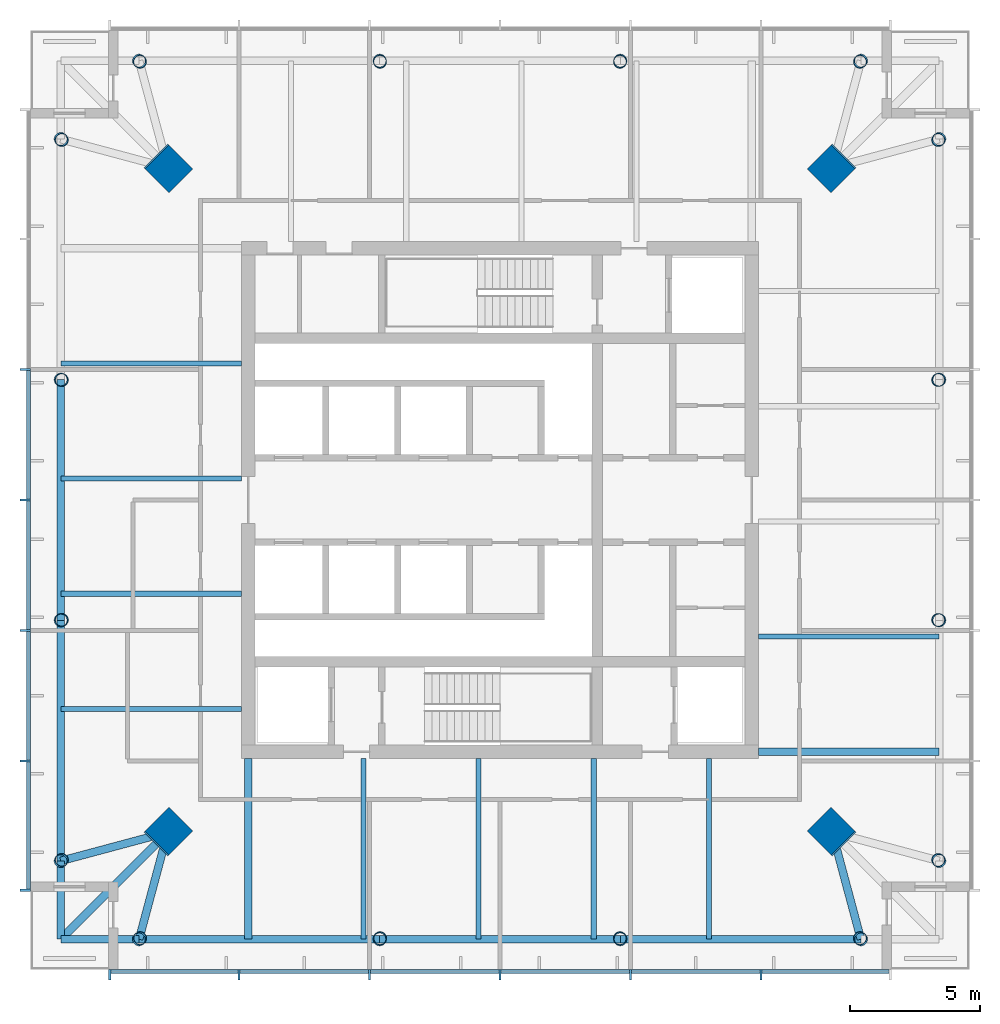
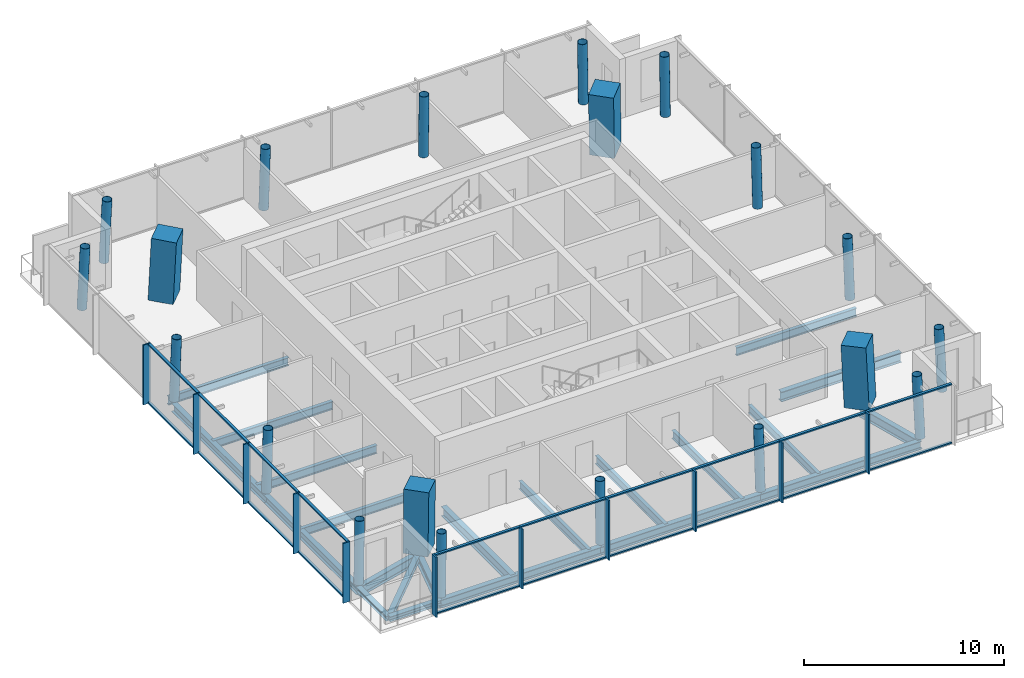
# One storey, part 1 of 7: 31 members, 22 beams, 20 columns, 2 elements without a shape of their own.
"""IFC4 building model written with IfcOpenShell, lengths in metres."""

import ifcopenshell
import ifcopenshell.guid

model = None  # the IFC model being written
_history = None  # IfcOwnerHistory: only IFC2X3 demands one
_inside = {}  # id of a spatial element -> (the spatial element, [elements in it])
_under = {}  # id of a project, library or spatial element -> (it, [spatial elements below it])
_declared = {}  # id of a project -> (the project, [libraries it declares])
_typed = {}  # id of a type object -> (the type object, [elements of that type])
_made_of = {}  # id of a material, layer set ... -> (it, [elements and type objects made of it])


def new_model(schema):
    """Start an empty IFC model of exactly this schema.

    Asked for "IFC4X3", IfcOpenShell would pick the latest addendum, in which some entities
    have other attributes; the version numbers below select the first issue.
    IFC2X3 requires an IfcOwnerHistory on every rooted entity: one is made here for all.
    """
    global model, _history
    if schema == "IFC4X3":
        model = ifcopenshell.file(schema_version=(4, 3, 0, 0))
    else:
        model = ifcopenshell.file(schema=schema)
    _inside.clear()
    _under.clear()
    _declared.clear()
    _typed.clear()
    _made_of.clear()
    _history = None
    if model.schema == "IFC2X3":
        org = make("IfcOrganization", Name="unknown")
        user = make(
            "IfcPersonAndOrganization",
            ThePerson=make("IfcPerson", FamilyName="unknown"),
            TheOrganization=org,
        )
        app = make(
            "IfcApplication",
            ApplicationDeveloper=org,
            Version="unknown",
            ApplicationFullName="unknown",
            ApplicationIdentifier="unknown",
        )
        _history = make(
            "IfcOwnerHistory",
            OwningUser=user,
            OwningApplication=app,
            ChangeAction="ADDED",
            CreationDate=0,
        )
    return model


def make(cls, **values):
    """One entity of the class cls with the attributes given. An attribute that is None is left unset."""
    return model.create_entity(
        cls, **{name: value for name, value in values.items() if value is not None}
    )


def rooted(cls, **values):
    """An entity with a GlobalId (a new one), such as an element, a storey or a relation."""
    return make(cls, GlobalId=ifcopenshell.guid.new(), OwnerHistory=_history, **values)


def si_unit(unit_type, name, prefix=None):
    """IfcSIUnit, for example si_unit("LENGTHUNIT", "METRE", prefix="MILLI")."""
    return make("IfcSIUnit", UnitType=unit_type, Prefix=prefix, Name=name)


def assignment(units):
    """IfcUnitAssignment: the units of a project."""
    return None if units is None else make("IfcUnitAssignment", Units=units)


def point(xyz):
    """IfcCartesianPoint."""
    return None if xyz is None else make("IfcCartesianPoint", Coordinates=xyz)


def direction(xyz):
    """IfcDirection."""
    return None if xyz is None else make("IfcDirection", DirectionRatios=xyz)


def frame(location, z_axis=None, x_axis=None):
    """IfcAxis2Placement3D, a coordinate frame: its origin and axes. An axis left out is left unset."""
    return make(
        "IfcAxis2Placement3D",
        Location=point(location),
        Axis=direction(z_axis),
        RefDirection=direction(x_axis),
    )


def frame_2d(location, x_axis=None):
    """IfcAxis2Placement2D, a coordinate frame in the plane: its origin and x axis."""
    return make(
        "IfcAxis2Placement2D", Location=point(location), RefDirection=direction(x_axis)
    )


def origin():
    """The frame at (0, 0, 0) with its axes left unset."""
    return frame((0.0, 0.0, 0.0))


def origin_2d():
    """The frame at (0, 0) in the plane with its x axis left unset."""
    return frame_2d((0.0, 0.0))


def place(relative_to, where):
    """IfcLocalPlacement: puts the frame where relative to a parent placement (None: the world)."""
    return make(
        "IfcLocalPlacement", PlacementRelTo=relative_to, RelativePlacement=where
    )


def context(
    kind, dimensions, precision=None, world=None, true_north=None, identifier=None
):
    """IfcGeometricRepresentationContext, for example the 3D "Model" context."""
    return make(
        "IfcGeometricRepresentationContext",
        ContextIdentifier=identifier,
        ContextType=kind,
        CoordinateSpaceDimension=dimensions,
        Precision=precision,
        WorldCoordinateSystem=world,
        TrueNorth=true_north,
    )


def subcontext(parent, identifier, kind, view, scale=None):
    """IfcGeometricRepresentationSubContext, for example "Body" below "Model"."""
    return make(
        "IfcGeometricRepresentationSubContext",
        ContextIdentifier=identifier,
        ContextType=kind,
        ParentContext=parent,
        TargetScale=scale,
        TargetView=view,
    )


def project(units=None, contexts=None):
    """IfcProject with its units and contexts."""
    return rooted(
        "IfcProject",
        Name="project",
        RepresentationContexts=contexts,
        UnitsInContext=assignment(units),
    )


def spatial(cls, under=None, at=None, **own):
    """A site, building, storey or space (cls), placed at a placement, below another one or the project."""
    s = rooted(cls, ObjectPlacement=at, **own)
    if under is not None:
        _under.setdefault(under.id(), (under, []))[1].append(s)
    return s


def profile(cls, at=None, kind="AREA", **sizes):
    """A parametric profile (cls). Its sizes go by their IFC names, for example OverallWidth=200.0."""
    return make(cls, ProfileType=kind, Position=at, **sizes)


def rectangle(**sizes):
    """IfcRectangleProfileDef."""
    return profile("IfcRectangleProfileDef", **sizes)


def hollow_circle(**sizes):
    """IfcCircleHollowProfileDef."""
    return profile("IfcCircleHollowProfileDef", **sizes)


def i_section(**sizes):
    """IfcIShapeProfileDef."""
    return profile("IfcIShapeProfileDef", **sizes)


def extrude(swept, where, along, depth):
    """IfcExtrudedAreaSolid: the profile swept, set in the frame where, extruded along a direction by depth."""
    return make(
        "IfcExtrudedAreaSolid",
        SweptArea=swept,
        Position=where,
        ExtrudedDirection=direction(along),
        Depth=depth,
    )


def shape(context_of_items, identifier, shape_type, items):
    """IfcShapeRepresentation: the items that make up one representation, for example the "Body"."""
    return make(
        "IfcShapeRepresentation",
        ContextOfItems=context_of_items,
        RepresentationIdentifier=identifier,
        RepresentationType=shape_type,
        Items=items,
    )


def material(Name=None, Category=None):
    """IfcMaterial."""
    return make("IfcMaterial", Name=Name, Category=Category)


def material_profile(
    of_material, cross_section, Name=None, Category=None, Priority=None
):
    """IfcMaterialProfile: a cross section and its material."""
    return make(
        "IfcMaterialProfile",
        Name=Name,
        Material=of_material,
        Profile=cross_section,
        Priority=Priority,
        Category=Category,
    )


def profile_set(profiles, Name=None, composite=None):
    """IfcMaterialProfileSet."""
    return make(
        "IfcMaterialProfileSet",
        Name=Name,
        MaterialProfiles=profiles,
        CompositeProfile=composite,
    )


def made_of(thing, what):
    """Note that an element or type object is made of a material, layer set ...; save() writes the relation."""
    if what is not None:
        _made_of.setdefault(what.id(), (what, []))[1].append(thing)
    return thing


def type_object(cls, material=None, **own):
    """A type object (cls), such as IfcWallType, which elements share."""
    return made_of(rooted(cls, **own), material)


def element(
    cls,
    number,
    at=None,
    inside=None,
    cuts=None,
    type_object=None,
    material=None,
    context=None,
    identifier="Body",
    shape_type=None,
    held_by="IfcProductDefinitionShape",
    body=None,
    shapes=None,
    **own,
):
    """One element of the class cls, such as IfcWall. Its Tag is "e" and its number.

    at: its placement. inside: the storey or other place that contains it. cuts: it is an
    opening in that element (IfcRelVoidsElement). A single representation is given by context,
    identifier, shape_type and body (its items); several are given by shapes. held_by: the class
    of the entity that holds the representations. save() writes the other relations.
    """
    e = rooted(cls, Tag="e%d" % number, ObjectPlacement=at, **own)
    if body is not None:
        shapes = [shape(context, identifier, shape_type, body)]
    if shapes is not None:
        e.Representation = make(held_by, Representations=shapes)
    if inside is not None:
        _inside.setdefault(inside.id(), (inside, []))[1].append(e)
    if cuts is not None:
        rooted(
            "IfcRelVoidsElement", RelatingBuildingElement=cuts, RelatedOpeningElement=e
        )
    if type_object is not None:
        _typed.setdefault(type_object.id(), (type_object, []))[1].append(e)
    return made_of(e, material)


def aggregate(whole, parts):
    """IfcRelAggregates: a whole, such as a stair, and the parts it consists of."""
    return rooted("IfcRelAggregates", RelatingObject=whole, RelatedObjects=parts)


def save(model, path):
    """Write the relations noted so far, then the file.

    IfcRelAggregates (storeys below a building ...), IfcRelContainedInSpatialStructure (elements
    in a storey), IfcRelDefinesByType, IfcRelAssociatesMaterial and IfcRelDeclares: one each for
    every whole, place, type object, material and project.
    """
    for whole, parts in _under.values():
        aggregate(whole, parts)
    for where, things in _inside.values():
        rooted(
            "IfcRelContainedInSpatialStructure",
            RelatedElements=things,
            RelatingStructure=where,
        )
    for kind, things in _typed.values():
        rooted("IfcRelDefinesByType", RelatedObjects=things, RelatingType=kind)
    for what, things in _made_of.values():
        rooted("IfcRelAssociatesMaterial", RelatedObjects=things, RelatingMaterial=what)
    for by, libraries in _declared.values():
        rooted("IfcRelDeclares", RelatingContext=by, RelatedDefinitions=libraries)
    model.write(path)


model = new_model("IFC4")

# Units and contexts
model_context = context("Model", 3, precision=1e-05, world=origin(), true_north=direction((0.0, 1.0)))
body_context = subcontext(model_context, "Body", "Model", "MODEL_VIEW")
ifc_project = project(units=[si_unit("LENGTHUNIT", "METRE"), si_unit("AREAUNIT", "SQUARE_METRE"), si_unit("VOLUMEUNIT", "CUBIC_METRE"), si_unit("PLANEANGLEUNIT", "RADIAN"), si_unit("MASSUNIT", "GRAM", prefix="KILO")], contexts=[model_context])

# Site, building, storey
site_placement = place(None, origin())
site = spatial("IfcSite", under=ifc_project, at=site_placement, CompositionType="ELEMENT")
building_placement = place(site_placement, origin())
building = spatial("IfcBuilding", under=site, at=building_placement, Name="Ostroluk Exchange", CompositionType="ELEMENT")
storey_placement = place(building_placement, frame((0.0, 0.0, 245.199951171875)))
storey = spatial("IfcBuildingStorey", under=building, at=storey_placement, Name="L63", CompositionType="ELEMENT", Elevation=245.199951171875)

# Columns
ifc_material_1 = material(Name="Concrete C50/60", Category="concrete")
ifc_material_profile_1 = material_profile(ifc_material_1, rectangle(XDim=1.300048828125, YDim=1.300048828125, at=origin_2d()), Name="RC 1300x1300")
ifc_profile_set_1 = profile_set([ifc_material_profile_1], Name="Concrete C50/60")
column_type_1 = type_object("IfcColumnType", Name="Mega column RC 1300x1300", PredefinedType="COLUMN", material=ifc_profile_set_1)
for number, where, z_axis, x_axis, name in (
    (1, (57.735595703125, 58.735595703125, 0.0), (-0.031898107953, -0.031898107953, 0.998981992539), (0.707106781187, -0.707106781187, 0.0), "T1 mega column NE"),
    (2, (32.264404296875, 58.735595703125, 0.0), (0.031898107953, -0.031898107953, 0.998981992539), (0.707106781187, 0.707106781187, 0.0), "T1 mega column NW"),
    (3, (32.264404296875, 33.264404296875, 0.0), (0.031898107953, 0.031898107953, 0.998981992539), (-0.707106781187, 0.707106781187, 0.0), "T1 mega column SW"),
    (4, (57.735595703125, 33.264404296875, 0.0), (-0.031898107953, 0.031898107953, 0.998981992539), (-0.707106781187, -0.707106781187, 0.0), "T1 mega column SE"),
):
    element("IfcColumn", number, at=place(storey_placement, frame(where, z_axis=z_axis, x_axis=x_axis)), inside=storey, type_object=column_type_1, Name=name, PredefinedType="COLUMN", context=body_context, shape_type="SweptSolid", body=[
        extrude(rectangle(XDim=1.300048828125, YDim=1.300048828125, at=origin_2d()), origin(), (0.0, 0.0, 1.0), 3.803955078125),
    ])
ifc_material_2 = material(Name="Steel S460", Category="steel")
ifc_material_profile_2 = material_profile(ifc_material_2, hollow_circle(Radius=0.25390625, WallThickness=0.02001953125, at=origin_2d()), Name="CHS 508x20")
ifc_profile_set_2 = profile_set([ifc_material_profile_2], Name="Steel S460")
column_type_2 = type_object("IfcColumnType", Name="Perimeter column CHS 508x20", PredefinedType="COLUMN", material=ifc_profile_set_2)
for number, where, z_axis, x_axis, name in (
    (5, (61.835693359375, 32.164306640625, 0.0), (-0.031898107953, 0.031898107953, 0.998981992539), (-0.707106781187, -0.707106781187, 0.0), "T1 east face column E0"),
    (6, (61.835693359375, 59.835693359375, 0.0), (-0.031898107953, -0.031898107953, 0.998981992539), (0.707106781187, -0.707106781187, 0.0), "T1 east face column E1"),
):
    element("IfcColumn", number, at=place(storey_placement, frame(where, z_axis=z_axis, x_axis=x_axis)), inside=storey, type_object=column_type_2, Name=name, PredefinedType="COLUMN", context=body_context, shape_type="SweptSolid", body=[
        extrude(hollow_circle(Radius=0.25390625, WallThickness=0.02001953125, at=origin_2d()), origin(), (0.0, 0.0, 1.0), 3.803955078125),
    ])
for number, where, z_axis, x_axis, name in (
    (7, (61.835693359375, 41.38818359375, 0.0), (-0.031912557129, 0.010594712125, 0.999434510497), (-0.315081783451, -0.949064523485, 0.0), "T1 east face column I1"),
    (8, (61.835693359375, 50.61181640625, 0.0), (-0.031912557129, -0.010594712125, 0.999434510497), (0.315081783451, -0.949064523485, 0.0), "T1 east face column I2"),
):
    element("IfcColumn", number, at=place(storey_placement, frame(where, z_axis=z_axis, x_axis=x_axis)), inside=storey, type_object=column_type_2, Name=name, PredefinedType="COLUMN", context=body_context, shape_type="SweptSolid", body=[
        extrude(hollow_circle(Radius=0.25390625, WallThickness=0.02001953125, at=origin_2d()), origin(), (0.0, 0.0, 1.0), 3.80224609375),
    ])
for number, where, z_axis, x_axis, name in (
    (9, (58.835693359375, 62.835693359375, 0.0), (-0.031898107953, -0.031898107953, 0.998981992539), (0.707106781187, -0.707106781187, 0.0), "T1 north face column E0"),
    (10, (31.164306640625, 62.835693359375, 0.0), (0.031898107953, -0.031898107953, 0.998981992539), (0.707106781187, 0.707106781187, 0.0), "T1 north face column E1"),
):
    element("IfcColumn", number, at=place(storey_placement, frame(where, z_axis=z_axis, x_axis=x_axis)), inside=storey, type_object=column_type_2, Name=name, PredefinedType="COLUMN", context=body_context, shape_type="SweptSolid", body=[
        extrude(hollow_circle(Radius=0.25390625, WallThickness=0.02001953125, at=origin_2d()), origin(), (0.0, 0.0, 1.0), 3.803955078125),
    ])
for number, where, z_axis, x_axis, name in (
    (11, (49.61181640625, 62.835693359375, 0.0), (-0.010594712125, -0.031912557129, 0.999434510497), (0.949064523485, -0.315081783451, 0.0), "T1 north face column I1"),
    (12, (40.38818359375, 62.835693359375, 0.0), (0.010594712125, -0.031912557129, 0.999434510497), (0.949064523485, 0.315081783451, 0.0), "T1 north face column I2"),
):
    element("IfcColumn", number, at=place(storey_placement, frame(where, z_axis=z_axis, x_axis=x_axis)), inside=storey, type_object=column_type_2, Name=name, PredefinedType="COLUMN", context=body_context, shape_type="SweptSolid", body=[
        extrude(hollow_circle(Radius=0.25390625, WallThickness=0.02001953125, at=origin_2d()), origin(), (0.0, 0.0, 1.0), 3.80224609375),
    ])
for number, where, z_axis, x_axis, name in (
    (13, (28.164306640625, 59.835693359375, 0.0), (0.031898107953, -0.031898107953, 0.998981992539), (0.707106781187, 0.707106781187, 0.0), "T1 west face column E0"),
    (14, (28.164306640625, 32.164306640625, 0.0), (0.031898107953, 0.031898107953, 0.998981992539), (-0.707106781187, 0.707106781187, 0.0), "T1 west face column E1"),
):
    element("IfcColumn", number, at=place(storey_placement, frame(where, z_axis=z_axis, x_axis=x_axis)), inside=storey, type_object=column_type_2, Name=name, PredefinedType="COLUMN", context=body_context, shape_type="SweptSolid", body=[
        extrude(hollow_circle(Radius=0.25390625, WallThickness=0.02001953125, at=origin_2d()), origin(), (0.0, 0.0, 1.0), 3.803955078125),
    ])
for number, where, z_axis, x_axis, name in (
    (15, (28.164306640625, 50.61181640625, 0.0), (0.031912557129, -0.010594712125, 0.999434510497), (0.315081783451, 0.949064523485, 0.0), "T1 west face column I1"),
    (16, (28.164306640625, 41.38818359375, 0.0), (0.031912557129, 0.010594712125, 0.999434510497), (-0.315081783451, 0.949064523485, 0.0), "T1 west face column I2"),
):
    element("IfcColumn", number, at=place(storey_placement, frame(where, z_axis=z_axis, x_axis=x_axis)), inside=storey, type_object=column_type_2, Name=name, PredefinedType="COLUMN", context=body_context, shape_type="SweptSolid", body=[
        extrude(hollow_circle(Radius=0.25390625, WallThickness=0.02001953125, at=origin_2d()), origin(), (0.0, 0.0, 1.0), 3.80224609375),
    ])
for number, where, z_axis, x_axis, name in (
    (17, (31.164306640625, 29.164306640625, 0.0), (0.031898107953, 0.031898107953, 0.998981992539), (-0.707106781187, 0.707106781187, 0.0), "T1 south face column E0"),
    (18, (58.835693359375, 29.164306640625, 0.0), (-0.031898107953, 0.031898107953, 0.998981992539), (-0.707106781187, -0.707106781187, 0.0), "T1 south face column E1"),
):
    element("IfcColumn", number, at=place(storey_placement, frame(where, z_axis=z_axis, x_axis=x_axis)), inside=storey, type_object=column_type_2, Name=name, PredefinedType="COLUMN", context=body_context, shape_type="SweptSolid", body=[
        extrude(hollow_circle(Radius=0.25390625, WallThickness=0.02001953125, at=origin_2d()), origin(), (0.0, 0.0, 1.0), 3.803955078125),
    ])
for number, where, z_axis, x_axis, name in (
    (19, (40.38818359375, 29.164306640625, 0.0), (0.010594712125, 0.031912557129, 0.999434510497), (-0.949064523485, 0.315081783451, 0.0), "T1 south face column I1"),
    (20, (49.61181640625, 29.164306640625, 0.0), (-0.010594712125, 0.031912557129, 0.999434510497), (-0.949064523485, -0.315081783451, 0.0), "T1 south face column I2"),
):
    element("IfcColumn", number, at=place(storey_placement, frame(where, z_axis=z_axis, x_axis=x_axis)), inside=storey, type_object=column_type_2, Name=name, PredefinedType="COLUMN", context=body_context, shape_type="SweptSolid", body=[
        extrude(hollow_circle(Radius=0.25390625, WallThickness=0.02001953125, at=origin_2d()), origin(), (0.0, 0.0, 1.0), 3.80224609375),
    ])

# Beams
ifc_material_3 = material(Name="Steel S355", Category="steel")
ifc_material_profile_3 = material_profile(ifc_material_3, i_section(OverallWidth=0.300048828125, OverallDepth=0.300048828125, WebThickness=0.010986328125, FlangeThickness=0.01904296875, FilletRadius=0.027099609375, at=origin_2d()), Name="HEB 300")
ifc_profile_set_3 = profile_set([ifc_material_profile_3], Name="Steel S355")
beam_type_1 = type_object("IfcBeamType", Name="Balcony beam HEB 300", PredefinedType="BEAM", material=ifc_profile_set_3)
for number, where, z_axis, x_axis, name in (
    (21, (28.164306640625, 32.164306640625, -0.329833984375), (0.0, -1.0, 0.0), (1.0, 0.0, 0.0), "T1 west balcony beam a"),
    (22, (31.164306640625, 29.164306640625, -0.329833984375), (-1.0, 0.0, 0.0), (0.0, -1.0, 0.0), "T1 west balcony beam b"),
):
    element("IfcBeam", number, at=place(storey_placement, frame(where, z_axis=z_axis, x_axis=x_axis)), inside=storey, type_object=beam_type_1, Name=name, PredefinedType="BEAM", context=body_context, shape_type="SweptSolid", body=[
        extrude(i_section(OverallWidth=0.300048828125, OverallDepth=0.300048828125, WebThickness=0.010986328125, FlangeThickness=0.01904296875, FilletRadius=0.027099609375, at=origin_2d()), origin(), (0.0, 0.0, 1.0), 3.0),
    ])
beam_1_placement = place(storey_placement, frame((32.264404296875, 33.264404296875, -0.329833984375), z_axis=(-0.707106781187, -0.707106781187, 0.0), x_axis=(0.707106781187, -0.707106781187, 0.0)))
element("IfcBeam", 23, at=beam_1_placement, inside=storey, type_object=beam_type_1, Name="T1 west balcony beam c", PredefinedType="BEAM", context=body_context, shape_type="SweptSolid", body=[
    extrude(i_section(OverallWidth=0.300048828125, OverallDepth=0.300048828125, WebThickness=0.010986328125, FlangeThickness=0.01904296875, FilletRadius=0.027099609375, at=origin_2d()), origin(), (0.0, 0.0, 1.0), 5.79833984375),
])
ifc_material_4 = material(Name="Steel S355", Category="steel")
ifc_material_profile_4 = material_profile(ifc_material_4, i_section(OverallWidth=0.300048828125, OverallDepth=0.60009765625, WebThickness=0.015380859375, FlangeThickness=0.030029296875, FilletRadius=0.027099609375, at=origin_2d()), Name="HEB 600")
ifc_profile_set_4 = profile_set([ifc_material_profile_4], Name="Steel S355")
beam_type_2 = type_object("IfcBeamType", Name="Corner edge beam HEB 600", PredefinedType="SPANDREL", material=ifc_profile_set_4)
for number, where, z_axis, x_axis, name in (
    (24, (32.264404296875, 33.264404296875, -0.47998046875), (-0.965838624319, -0.259144268261, 0.0), (0.259144268261, -0.965838624319, 0.0), "T1 west corner edge beam a"),
    (25, (32.264404296875, 33.264404296875, -0.47998046875), (-0.259144268261, -0.965838624319, 0.0), (0.965838624319, -0.259144268261, 0.0), "T1 west corner edge beam b"),
    (26, (57.735595703125, 33.264404296875, -0.47998046875), (0.259144268261, -0.965838624319, 0.0), (0.965838624319, 0.259144268261, 0.0), "T1 south corner edge beam a"),
):
    element("IfcBeam", number, at=place(storey_placement, frame(where, z_axis=z_axis, x_axis=x_axis)), inside=storey, type_object=beam_type_2, Name=name, PredefinedType="SPANDREL", context=body_context, shape_type="SweptSolid", body=[
        extrude(i_section(OverallWidth=0.300048828125, OverallDepth=0.60009765625, WebThickness=0.015380859375, FlangeThickness=0.030029296875, FilletRadius=0.027099609375, at=origin_2d()), origin(), (0.0, 0.0, 1.0), 4.2451171875),
    ])
ifc_material_5 = material(Name="Steel S355", Category="steel")
ifc_material_profile_5 = material_profile(ifc_material_5, i_section(OverallWidth=0.199951171875, OverallDepth=0.5, WebThickness=0.01025390625, FlangeThickness=0.01611328125, FilletRadius=0.02099609375, at=origin_2d()), Name="IPE 500")
ifc_profile_set_5 = profile_set([ifc_material_profile_5], Name="Steel S355")
beam_type_3 = type_object("IfcBeamType", Name="Floor beam IPE 500", PredefinedType="BEAM", material=ifc_profile_set_5)
for number, where, z_axis, x_axis, name in (
    (27, (54.89990234375, 40.764404296875, -0.429931640625), (1.0, 0.0, 0.0), (0.0, 1.0, 0.0), "T1 east floor beam 1"),
    (28, (35.10009765625, 51.235595703125, -0.429931640625), (-1.0, 0.0, 0.0), (0.0, -1.0, 0.0), "T1 west floor beam 1"),
    (29, (35.10009765625, 46.821533203125, -0.429931640625), (-1.0, 0.0, 0.0), (0.0, -1.0, 0.0), "T1 west floor beam 2"),
    (30, (35.10009765625, 42.4072265625, -0.429931640625), (-1.0, 0.0, 0.0), (0.0, -1.0, 0.0), "T1 west floor beam 3"),
    (31, (35.10009765625, 37.992919921875, -0.429931640625), (-1.0, 0.0, 0.0), (0.0, -1.0, 0.0), "T1 west floor beam 4"),
    (32, (39.764404296875, 36.10009765625, -0.429931640625), (0.0, -1.0, 0.0), (1.0, 0.0, 0.0), "T1 south floor beam 1"),
    (33, (44.178466796875, 36.10009765625, -0.429931640625), (0.0, -1.0, 0.0), (1.0, 0.0, 0.0), "T1 south floor beam 2"),
    (34, (48.5927734375, 36.10009765625, -0.429931640625), (0.0, -1.0, 0.0), (1.0, 0.0, 0.0), "T1 south floor beam 3"),
    (35, (53.007080078125, 36.10009765625, -0.429931640625), (0.0, -1.0, 0.0), (1.0, 0.0, 0.0), "T1 south floor beam 4"),
):
    element("IfcBeam", number, at=place(storey_placement, frame(where, z_axis=z_axis, x_axis=x_axis)), inside=storey, type_object=beam_type_3, Name=name, PredefinedType="BEAM", context=body_context, shape_type="SweptSolid", body=[
        extrude(i_section(OverallWidth=0.199951171875, OverallDepth=0.5, WebThickness=0.01025390625, FlangeThickness=0.01611328125, FilletRadius=0.02099609375, at=origin_2d()), origin(), (0.0, 0.0, 1.0), 6.935791015625),
    ])
ifc_material_6 = material(Name="Steel S355", Category="steel")
ifc_material_profile_6 = material_profile(ifc_material_6, i_section(OverallWidth=0.300048828125, OverallDepth=0.60009765625, WebThickness=0.015380859375, FlangeThickness=0.030029296875, FilletRadius=0.027099609375, at=origin_2d()), Name="HEB 600")
ifc_profile_set_6 = profile_set([ifc_material_profile_6], Name="Steel S355")
beam_type_4 = type_object("IfcBeamType", Name="Girder HEB 600", PredefinedType="BEAM", material=ifc_profile_set_6)
for number, where, z_axis, x_axis, name in (
    (36, (35.35009765625, 36.10009765625, -0.47998046875), (0.0, -1.0, 0.0), (1.0, 0.0, 0.0), "T1 west girder"),
    (37, (54.89990234375, 36.35009765625, -0.47998046875), (1.0, 0.0, 0.0), (0.0, 1.0, 0.0), "T1 south girder"),
):
    element("IfcBeam", number, at=place(storey_placement, frame(where, z_axis=z_axis, x_axis=x_axis)), inside=storey, type_object=beam_type_4, Name=name, PredefinedType="BEAM", context=body_context, shape_type="SweptSolid", body=[
        extrude(i_section(OverallWidth=0.300048828125, OverallDepth=0.60009765625, WebThickness=0.015380859375, FlangeThickness=0.030029296875, FilletRadius=0.027099609375, at=origin_2d()), origin(), (0.0, 0.0, 1.0), 6.935791015625),
    ])
ifc_material_7 = material(Name="Steel S355", Category="steel")
ifc_material_profile_7 = material_profile(ifc_material_7, i_section(OverallWidth=0.300048828125, OverallDepth=0.5, WebThickness=0.014404296875, FlangeThickness=0.028076171875, FilletRadius=0.027099609375, at=origin_2d()), Name="HEB 500")
ifc_profile_set_7 = profile_set([ifc_material_profile_7], Name="Steel S355")
beam_type_5 = type_object("IfcBeamType", Name="Moment-connected edge beam HEB 500", PredefinedType="SPANDREL", material=ifc_profile_set_7)
beam_2_placement = place(storey_placement, frame((28.164306640625, 50.61181640625, -0.429931640625), z_axis=(0.0, -1.0, 0.0), x_axis=(1.0, 0.0, 0.0)))
element("IfcBeam", 38, at=beam_2_placement, inside=storey, type_object=beam_type_5, Name="T1 west edge beam 2", PredefinedType="SPANDREL", context=body_context, shape_type="SweptSolid", body=[
    extrude(i_section(OverallWidth=0.300048828125, OverallDepth=0.5, WebThickness=0.014404296875, FlangeThickness=0.028076171875, FilletRadius=0.027099609375, at=origin_2d()), origin(), (0.0, 0.0, 1.0), 9.2236328125),
])
for number, where, z_axis, x_axis, name in (
    (39, (28.164306640625, 41.38818359375, -0.429931640625), (0.0, -1.0, 0.0), (1.0, 0.0, 0.0), "T1 west edge beam 3"),
    (40, (31.164306640625, 29.164306640625, -0.429931640625), (1.0, 0.0, 0.0), (0.0, 1.0, 0.0), "T1 south edge beam 1"),
):
    element("IfcBeam", number, at=place(storey_placement, frame(where, z_axis=z_axis, x_axis=x_axis)), inside=storey, type_object=beam_type_5, Name=name, PredefinedType="SPANDREL", context=body_context, shape_type="SweptSolid", body=[
        extrude(i_section(OverallWidth=0.300048828125, OverallDepth=0.5, WebThickness=0.014404296875, FlangeThickness=0.028076171875, FilletRadius=0.027099609375, at=origin_2d()), origin(), (0.0, 0.0, 1.0), 9.223876953125),
    ])
beam_3_placement = place(storey_placement, frame((40.38818359375, 29.164306640625, -0.429931640625), z_axis=(1.0, 0.0, 0.0), x_axis=(0.0, 1.0, 0.0)))
element("IfcBeam", 41, at=beam_3_placement, inside=storey, type_object=beam_type_5, Name="T1 south edge beam 2", PredefinedType="SPANDREL", context=body_context, shape_type="SweptSolid", body=[
    extrude(i_section(OverallWidth=0.300048828125, OverallDepth=0.5, WebThickness=0.014404296875, FlangeThickness=0.028076171875, FilletRadius=0.027099609375, at=origin_2d()), origin(), (0.0, 0.0, 1.0), 9.2236328125),
])
beam_4_placement = place(storey_placement, frame((49.61181640625, 29.164306640625, -0.429931640625), z_axis=(1.0, 0.0, 0.0), x_axis=(0.0, 1.0, 0.0)))
element("IfcBeam", 42, at=beam_4_placement, inside=storey, type_object=beam_type_5, Name="T1 south edge beam 3", PredefinedType="SPANDREL", context=body_context, shape_type="SweptSolid", body=[
    extrude(i_section(OverallWidth=0.300048828125, OverallDepth=0.5, WebThickness=0.014404296875, FlangeThickness=0.028076171875, FilletRadius=0.027099609375, at=origin_2d()), origin(), (0.0, 0.0, 1.0), 9.223876953125),
])

# Curtain wall, members
ifc_material_8 = material(Name="Laminated clear glass", Category="glass")
curtain_wall_type = type_object("IfcCurtainWallType", Name="Office tower facade", PredefinedType="USERDEFINED", material=ifc_material_8)
curtain_wall_1_placement = place(storey_placement, origin())
curtain_wall_1 = element("IfcCurtainWall", 43, at=curtain_wall_1_placement, inside=storey, type_object=curtain_wall_type, Name="Office tower south facade L63", ObjectType="UNITISED CURTAIN WALL", PredefinedType="USERDEFINED")
ifc_material_9 = material(Name="Aluminium mullion", Category="aluminium")
ifc_material_profile_8 = material_profile(ifc_material_9, rectangle(XDim=0.14990234375, YDim=0.080078125, at=origin_2d()), Name="Sill transom 80 x 150")
ifc_profile_set_8 = profile_set([ifc_material_profile_8], Name="Aluminium mullion")
member_type_1 = type_object("IfcMemberType", Name="Sill transom 80 x 150", PredefinedType="USERDEFINED", material=ifc_profile_set_8)
member_1_placement = place(storey_placement, frame((30.080078125, 27.925048828125, 0.0400390625), z_axis=(1.0, 0.0, 0.0), x_axis=(0.0, 1.0, 0.0)))
member_1 = element("IfcMember", 44, at=member_1_placement, type_object=member_type_1, Name="CW-O1 transom 1.1", ObjectType="TRANSOM", PredefinedType="USERDEFINED", context=body_context, shape_type="SweptSolid", body=[
    extrude(rectangle(XDim=0.14990234375, YDim=0.080078125, at=origin_2d()), origin(), (0.0, 0.0, 1.0), 4.8798828125),
])
member_2_placement = place(storey_placement, frame((30.080078125, 27.925048828125, 3.610107421875), z_axis=(1.0, 0.0, 0.0), x_axis=(0.0, 1.0, 0.0)))
member_2 = element("IfcMember", 45, at=member_2_placement, type_object=member_type_1, Name="CW-O1 transom 1.2", ObjectType="TRANSOM", PredefinedType="USERDEFINED", context=body_context, shape_type="SweptSolid", body=[
    extrude(rectangle(XDim=0.14990234375, YDim=0.080078125, at=origin_2d()), origin(), (0.0, 0.0, 1.0), 4.8798828125),
])
member_3_placement = place(storey_placement, frame((35.0400390625, 27.925048828125, 0.0400390625), z_axis=(1.0, 0.0, 0.0), x_axis=(0.0, 1.0, 0.0)))
member_3 = element("IfcMember", 46, at=member_3_placement, type_object=member_type_1, Name="CW-O1 transom 2.1", ObjectType="TRANSOM", PredefinedType="USERDEFINED", context=body_context, shape_type="SweptSolid", body=[
    extrude(rectangle(XDim=0.14990234375, YDim=0.080078125, at=origin_2d()), origin(), (0.0, 0.0, 1.0), 4.919921875),
])
member_4_placement = place(storey_placement, frame((35.0400390625, 27.925048828125, 3.610107421875), z_axis=(1.0, 0.0, 0.0), x_axis=(0.0, 1.0, 0.0)))
member_4 = element("IfcMember", 47, at=member_4_placement, type_object=member_type_1, Name="CW-O1 transom 2.2", ObjectType="TRANSOM", PredefinedType="USERDEFINED", context=body_context, shape_type="SweptSolid", body=[
    extrude(rectangle(XDim=0.14990234375, YDim=0.080078125, at=origin_2d()), origin(), (0.0, 0.0, 1.0), 4.919921875),
])
member_5_placement = place(storey_placement, frame((40.0400390625, 27.925048828125, 0.0400390625), z_axis=(1.0, 0.0, 0.0), x_axis=(0.0, 1.0, 0.0)))
member_5 = element("IfcMember", 48, at=member_5_placement, type_object=member_type_1, Name="CW-O1 transom 3.1", ObjectType="TRANSOM", PredefinedType="USERDEFINED", context=body_context, shape_type="SweptSolid", body=[
    extrude(rectangle(XDim=0.14990234375, YDim=0.080078125, at=origin_2d()), origin(), (0.0, 0.0, 1.0), 4.919921875),
])
member_6_placement = place(storey_placement, frame((40.0400390625, 27.925048828125, 3.610107421875), z_axis=(1.0, 0.0, 0.0), x_axis=(0.0, 1.0, 0.0)))
member_6 = element("IfcMember", 49, at=member_6_placement, type_object=member_type_1, Name="CW-O1 transom 3.2", ObjectType="TRANSOM", PredefinedType="USERDEFINED", context=body_context, shape_type="SweptSolid", body=[
    extrude(rectangle(XDim=0.14990234375, YDim=0.080078125, at=origin_2d()), origin(), (0.0, 0.0, 1.0), 4.919921875),
])
member_7_placement = place(storey_placement, frame((45.0400390625, 27.925048828125, 0.0400390625), z_axis=(1.0, 0.0, 0.0), x_axis=(0.0, 1.0, 0.0)))
member_7 = element("IfcMember", 50, at=member_7_placement, type_object=member_type_1, Name="CW-O1 transom 4.1", ObjectType="TRANSOM", PredefinedType="USERDEFINED", context=body_context, shape_type="SweptSolid", body=[
    extrude(rectangle(XDim=0.14990234375, YDim=0.080078125, at=origin_2d()), origin(), (0.0, 0.0, 1.0), 4.919921875),
])
member_8_placement = place(storey_placement, frame((45.0400390625, 27.925048828125, 3.610107421875), z_axis=(1.0, 0.0, 0.0), x_axis=(0.0, 1.0, 0.0)))
member_8 = element("IfcMember", 51, at=member_8_placement, type_object=member_type_1, Name="CW-O1 transom 4.2", ObjectType="TRANSOM", PredefinedType="USERDEFINED", context=body_context, shape_type="SweptSolid", body=[
    extrude(rectangle(XDim=0.14990234375, YDim=0.080078125, at=origin_2d()), origin(), (0.0, 0.0, 1.0), 4.919921875),
])
member_9_placement = place(storey_placement, frame((50.0400390625, 27.925048828125, 0.0400390625), z_axis=(1.0, 0.0, 0.0), x_axis=(0.0, 1.0, 0.0)))
member_9 = element("IfcMember", 52, at=member_9_placement, type_object=member_type_1, Name="CW-O1 transom 5.1", ObjectType="TRANSOM", PredefinedType="USERDEFINED", context=body_context, shape_type="SweptSolid", body=[
    extrude(rectangle(XDim=0.14990234375, YDim=0.080078125, at=origin_2d()), origin(), (0.0, 0.0, 1.0), 4.919921875),
])
member_10_placement = place(storey_placement, frame((50.0400390625, 27.925048828125, 3.610107421875), z_axis=(1.0, 0.0, 0.0), x_axis=(0.0, 1.0, 0.0)))
member_10 = element("IfcMember", 53, at=member_10_placement, type_object=member_type_1, Name="CW-O1 transom 5.2", ObjectType="TRANSOM", PredefinedType="USERDEFINED", context=body_context, shape_type="SweptSolid", body=[
    extrude(rectangle(XDim=0.14990234375, YDim=0.080078125, at=origin_2d()), origin(), (0.0, 0.0, 1.0), 4.919921875),
])
member_11_placement = place(storey_placement, frame((55.0400390625, 27.925048828125, 0.0400390625), z_axis=(1.0, 0.0, 0.0), x_axis=(0.0, 1.0, 0.0)))
member_11 = element("IfcMember", 54, at=member_11_placement, type_object=member_type_1, Name="CW-O1 transom 6.1", ObjectType="TRANSOM", PredefinedType="USERDEFINED", context=body_context, shape_type="SweptSolid", body=[
    extrude(rectangle(XDim=0.14990234375, YDim=0.080078125, at=origin_2d()), origin(), (0.0, 0.0, 1.0), 4.8798828125),
])
member_12_placement = place(storey_placement, frame((55.0400390625, 27.925048828125, 3.610107421875), z_axis=(1.0, 0.0, 0.0), x_axis=(0.0, 1.0, 0.0)))
member_12 = element("IfcMember", 55, at=member_12_placement, type_object=member_type_1, Name="CW-O1 transom 6.2", ObjectType="TRANSOM", PredefinedType="USERDEFINED", context=body_context, shape_type="SweptSolid", body=[
    extrude(rectangle(XDim=0.14990234375, YDim=0.080078125, at=origin_2d()), origin(), (0.0, 0.0, 1.0), 4.8798828125),
])

curtain_wall_2_placement = place(storey_placement, origin())
curtain_wall_2 = element("IfcCurtainWall", 56, at=curtain_wall_2_placement, inside=storey, type_object=curtain_wall_type, Name="Office tower west facade L63", ObjectType="UNITISED CURTAIN WALL", PredefinedType="USERDEFINED")
member_13_placement = place(storey_placement, frame((26.925048828125, 50.9599609375, 0.0400390625), z_axis=(0.0, -1.0, 0.0), x_axis=(1.0, 0.0, 0.0)))
member_13 = element("IfcMember", 57, at=member_13_placement, type_object=member_type_1, Name="CW-O1 transom 3.1", ObjectType="TRANSOM", PredefinedType="USERDEFINED", context=body_context, shape_type="SweptSolid", body=[
    extrude(rectangle(XDim=0.14990234375, YDim=0.080078125, at=origin_2d()), origin(), (0.0, 0.0, 1.0), 4.919921875),
])
member_14_placement = place(storey_placement, frame((26.925048828125, 50.9599609375, 3.610107421875), z_axis=(0.0, -1.0, 0.0), x_axis=(1.0, 0.0, 0.0)))
member_14 = element("IfcMember", 58, at=member_14_placement, type_object=member_type_1, Name="CW-O1 transom 3.2", ObjectType="TRANSOM", PredefinedType="USERDEFINED", context=body_context, shape_type="SweptSolid", body=[
    extrude(rectangle(XDim=0.14990234375, YDim=0.080078125, at=origin_2d()), origin(), (0.0, 0.0, 1.0), 4.919921875),
])
member_15_placement = place(storey_placement, frame((26.925048828125, 45.9599609375, 0.0400390625), z_axis=(0.0, -1.0, 0.0), x_axis=(1.0, 0.0, 0.0)))
member_15 = element("IfcMember", 59, at=member_15_placement, type_object=member_type_1, Name="CW-O1 transom 4.1", ObjectType="TRANSOM", PredefinedType="USERDEFINED", context=body_context, shape_type="SweptSolid", body=[
    extrude(rectangle(XDim=0.14990234375, YDim=0.080078125, at=origin_2d()), origin(), (0.0, 0.0, 1.0), 4.919921875),
])
member_16_placement = place(storey_placement, frame((26.925048828125, 45.9599609375, 3.610107421875), z_axis=(0.0, -1.0, 0.0), x_axis=(1.0, 0.0, 0.0)))
member_16 = element("IfcMember", 60, at=member_16_placement, type_object=member_type_1, Name="CW-O1 transom 4.2", ObjectType="TRANSOM", PredefinedType="USERDEFINED", context=body_context, shape_type="SweptSolid", body=[
    extrude(rectangle(XDim=0.14990234375, YDim=0.080078125, at=origin_2d()), origin(), (0.0, 0.0, 1.0), 4.919921875),
])
member_17_placement = place(storey_placement, frame((26.925048828125, 40.9599609375, 0.0400390625), z_axis=(0.0, -1.0, 0.0), x_axis=(1.0, 0.0, 0.0)))
member_17 = element("IfcMember", 61, at=member_17_placement, type_object=member_type_1, Name="CW-O1 transom 5.1", ObjectType="TRANSOM", PredefinedType="USERDEFINED", context=body_context, shape_type="SweptSolid", body=[
    extrude(rectangle(XDim=0.14990234375, YDim=0.080078125, at=origin_2d()), origin(), (0.0, 0.0, 1.0), 4.919921875),
])
member_18_placement = place(storey_placement, frame((26.925048828125, 40.9599609375, 3.610107421875), z_axis=(0.0, -1.0, 0.0), x_axis=(1.0, 0.0, 0.0)))
member_18 = element("IfcMember", 62, at=member_18_placement, type_object=member_type_1, Name="CW-O1 transom 5.2", ObjectType="TRANSOM", PredefinedType="USERDEFINED", context=body_context, shape_type="SweptSolid", body=[
    extrude(rectangle(XDim=0.14990234375, YDim=0.080078125, at=origin_2d()), origin(), (0.0, 0.0, 1.0), 4.919921875),
])
member_19_placement = place(storey_placement, frame((26.925048828125, 35.9599609375, 0.0400390625), z_axis=(0.0, -1.0, 0.0), x_axis=(1.0, 0.0, 0.0)))
member_19 = element("IfcMember", 63, at=member_19_placement, type_object=member_type_1, Name="CW-O1 transom 6.1", ObjectType="TRANSOM", PredefinedType="USERDEFINED", context=body_context, shape_type="SweptSolid", body=[
    extrude(rectangle(XDim=0.14990234375, YDim=0.080078125, at=origin_2d()), origin(), (0.0, 0.0, 1.0), 4.8798828125),
])
member_20_placement = place(storey_placement, frame((26.925048828125, 35.9599609375, 3.610107421875), z_axis=(0.0, -1.0, 0.0), x_axis=(1.0, 0.0, 0.0)))
member_20 = element("IfcMember", 64, at=member_20_placement, type_object=member_type_1, Name="CW-O1 transom 6.2", ObjectType="TRANSOM", PredefinedType="USERDEFINED", context=body_context, shape_type="SweptSolid", body=[
    extrude(rectangle(XDim=0.14990234375, YDim=0.080078125, at=origin_2d()), origin(), (0.0, 0.0, 1.0), 4.8798828125),
])

# Member
ifc_material_10 = material(Name="Aluminium mullion with limestone facing", Category="masonry")
ifc_material_profile_9 = material_profile(ifc_material_10, rectangle(XDim=0.39990234375, YDim=0.080078125, at=origin_2d()), Name="Tracery mullion 80 x 400")
ifc_profile_set_9 = profile_set([ifc_material_profile_9], Name="Aluminium mullion with limestone facing")
member_type_2 = type_object("IfcMemberType", Name="Tracery mullion 80 x 400", PredefinedType="MULLION", material=ifc_profile_set_9)
member_21_placement = place(storey_placement, frame((30.0400390625, 27.800048828125, 0.0), z_axis=(0.0, 0.0, 1.0), x_axis=(0.0, 1.0, 0.0)))
member_21 = element("IfcMember", 65, at=member_21_placement, type_object=member_type_2, Name="CW-O1 mullion 1", PredefinedType="MULLION", context=body_context, shape_type="SweptSolid", body=[
    extrude(rectangle(XDim=0.39990234375, YDim=0.080078125, at=origin_2d()), origin(), (0.0, 0.0, 1.0), 3.650146484375),
])

member_22_placement = place(storey_placement, frame((35.0, 27.800048828125, 0.0), z_axis=(0.0, 0.0, 1.0), x_axis=(0.0, 1.0, 0.0)))
member_22 = element("IfcMember", 66, at=member_22_placement, type_object=member_type_2, Name="CW-O1 mullion 2", PredefinedType="MULLION", context=body_context, shape_type="SweptSolid", body=[
    extrude(rectangle(XDim=0.39990234375, YDim=0.080078125, at=origin_2d()), origin(), (0.0, 0.0, 1.0), 3.650146484375),
])

member_23_placement = place(storey_placement, frame((40.0, 27.800048828125, 0.0), z_axis=(0.0, 0.0, 1.0), x_axis=(0.0, 1.0, 0.0)))
member_23 = element("IfcMember", 67, at=member_23_placement, type_object=member_type_2, Name="CW-O1 mullion 3", PredefinedType="MULLION", context=body_context, shape_type="SweptSolid", body=[
    extrude(rectangle(XDim=0.39990234375, YDim=0.080078125, at=origin_2d()), origin(), (0.0, 0.0, 1.0), 3.650146484375),
])

member_24_placement = place(storey_placement, frame((45.0, 27.800048828125, 0.0), z_axis=(0.0, 0.0, 1.0), x_axis=(0.0, 1.0, 0.0)))
member_24 = element("IfcMember", 68, at=member_24_placement, type_object=member_type_2, Name="CW-O1 mullion 4", PredefinedType="MULLION", context=body_context, shape_type="SweptSolid", body=[
    extrude(rectangle(XDim=0.39990234375, YDim=0.080078125, at=origin_2d()), origin(), (0.0, 0.0, 1.0), 3.650146484375),
])

member_25_placement = place(storey_placement, frame((50.0, 27.800048828125, 0.0), z_axis=(0.0, 0.0, 1.0), x_axis=(0.0, 1.0, 0.0)))
member_25 = element("IfcMember", 69, at=member_25_placement, type_object=member_type_2, Name="CW-O1 mullion 5", PredefinedType="MULLION", context=body_context, shape_type="SweptSolid", body=[
    extrude(rectangle(XDim=0.39990234375, YDim=0.080078125, at=origin_2d()), origin(), (0.0, 0.0, 1.0), 3.650146484375),
])

member_26_placement = place(storey_placement, frame((55.0, 27.800048828125, 0.0), z_axis=(0.0, 0.0, 1.0), x_axis=(0.0, 1.0, 0.0)))
member_26 = element("IfcMember", 70, at=member_26_placement, type_object=member_type_2, Name="CW-O1 mullion 6", PredefinedType="MULLION", context=body_context, shape_type="SweptSolid", body=[
    extrude(rectangle(XDim=0.39990234375, YDim=0.080078125, at=origin_2d()), origin(), (0.0, 0.0, 1.0), 3.650146484375),
])

aggregate(curtain_wall_1, [member_21, member_22, member_23, member_24, member_25, member_26, member_1, member_2, member_3, member_4, member_5, member_6, member_7, member_8, member_9, member_10, member_11, member_12])

member_27_placement = place(storey_placement, frame((26.800048828125, 51.0, 0.0), z_axis=(0.0, 0.0, 1.0), x_axis=(1.0, 0.0, 0.0)))
member_27 = element("IfcMember", 71, at=member_27_placement, type_object=member_type_2, Name="CW-O1 mullion 3", PredefinedType="MULLION", context=body_context, shape_type="SweptSolid", body=[
    extrude(rectangle(XDim=0.39990234375, YDim=0.080078125, at=origin_2d()), origin(), (0.0, 0.0, 1.0), 3.650146484375),
])

member_28_placement = place(storey_placement, frame((26.800048828125, 46.0, 0.0), z_axis=(0.0, 0.0, 1.0), x_axis=(1.0, 0.0, 0.0)))
member_28 = element("IfcMember", 72, at=member_28_placement, type_object=member_type_2, Name="CW-O1 mullion 4", PredefinedType="MULLION", context=body_context, shape_type="SweptSolid", body=[
    extrude(rectangle(XDim=0.39990234375, YDim=0.080078125, at=origin_2d()), origin(), (0.0, 0.0, 1.0), 3.650146484375),
])

member_29_placement = place(storey_placement, frame((26.800048828125, 41.0, 0.0), z_axis=(0.0, 0.0, 1.0), x_axis=(1.0, 0.0, 0.0)))
member_29 = element("IfcMember", 73, at=member_29_placement, type_object=member_type_2, Name="CW-O1 mullion 5", PredefinedType="MULLION", context=body_context, shape_type="SweptSolid", body=[
    extrude(rectangle(XDim=0.39990234375, YDim=0.080078125, at=origin_2d()), origin(), (0.0, 0.0, 1.0), 3.650146484375),
])

member_30_placement = place(storey_placement, frame((26.800048828125, 36.0, 0.0), z_axis=(0.0, 0.0, 1.0), x_axis=(1.0, 0.0, 0.0)))
member_30 = element("IfcMember", 74, at=member_30_placement, type_object=member_type_2, Name="CW-O1 mullion 6", PredefinedType="MULLION", context=body_context, shape_type="SweptSolid", body=[
    extrude(rectangle(XDim=0.39990234375, YDim=0.080078125, at=origin_2d()), origin(), (0.0, 0.0, 1.0), 3.650146484375),
])

member_31_placement = place(storey_placement, frame((26.800048828125, 31.0400390625, 0.0), z_axis=(0.0, 0.0, 1.0), x_axis=(1.0, 0.0, 0.0)))
member_31 = element("IfcMember", 75, at=member_31_placement, type_object=member_type_2, Name="CW-O1 mullion 7", PredefinedType="MULLION", context=body_context, shape_type="SweptSolid", body=[
    extrude(rectangle(XDim=0.39990234375, YDim=0.080078125, at=origin_2d()), origin(), (0.0, 0.0, 1.0), 3.650146484375),
])

aggregate(curtain_wall_2, [member_27, member_28, member_29, member_30, member_31, member_13, member_14, member_15, member_16, member_17, member_18, member_19, member_20])

save(model, "model.ifc")
